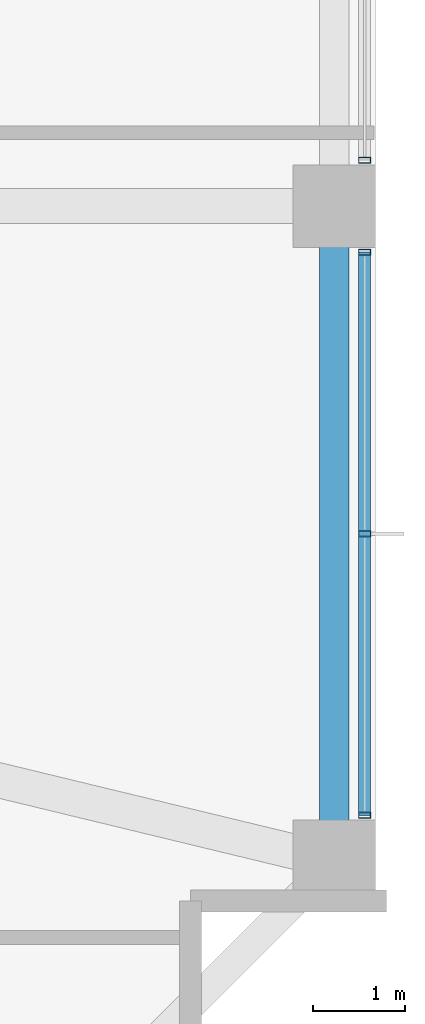
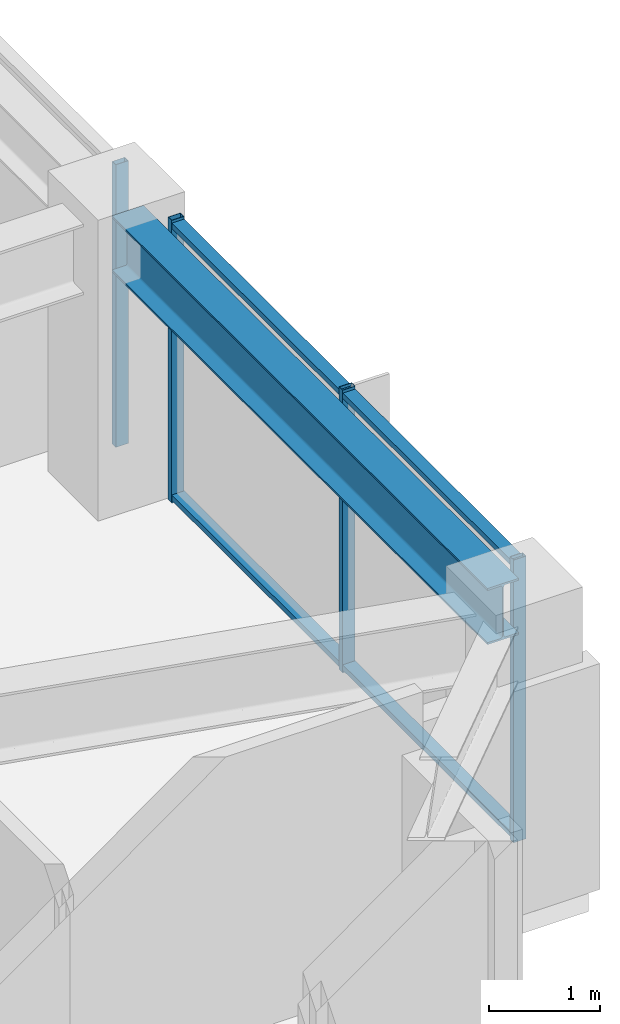
# One storey, part 13 of 31: 6 members, 1 beam, 2 elements without a shape of their own.
"""IFC4 building model written with IfcOpenShell, lengths in metres."""

from ifc_helpers import new_model, si_unit, direction, frame, origin, origin_2d, place, context, subcontext, project, spatial, hollow_rectangle, i_section, extrude, material, material_profile, profile_set, type_object, element, aggregate, save


model = new_model("IFC4")

# Units and contexts
model_context = context("Model", 3, precision=1e-05, world=origin(), true_north=direction((0.0, 1.0)))
body_context = subcontext(model_context, "Body", "Model", "MODEL_VIEW")
ifc_project = project(units=[si_unit("LENGTHUNIT", "METRE"), si_unit("AREAUNIT", "SQUARE_METRE"), si_unit("VOLUMEUNIT", "CUBIC_METRE"), si_unit("PLANEANGLEUNIT", "RADIAN"), si_unit("MASSUNIT", "GRAM", prefix="KILO")], contexts=[model_context])

# Site, building, storey
site_placement = place(None, origin())
site = spatial("IfcSite", under=ifc_project, at=site_placement, CompositionType="ELEMENT")
building_placement = place(site_placement, origin())
building = spatial("IfcBuilding", under=site, at=building_placement, Name="Kolvaren Belvedere", CompositionType="ELEMENT")
storey_placement = place(building_placement, frame((0.0, 0.0, 138.199951171875)))
storey = spatial("IfcBuildingStorey", under=building, at=storey_placement, Name="L40", CompositionType="ELEMENT", Elevation=138.199951171875)

# Beam
ifc_material_1 = material(Name="Structural steel ASTM A992 Grade 50", Category="steel")
ifc_material_profile_1 = material_profile(ifc_material_1, i_section(OverallWidth=0.324951171875, OverallDepth=0.615966796875, WebThickness=0.013916015625, FlangeThickness=0.021484375, FilletRadius=0.02001953125, at=origin_2d()), Name="W24X117")
ifc_profile_set_1 = profile_set([ifc_material_profile_1], Name="Structural steel ASTM A992 Grade 50")
beam_type = type_object("IfcBeamType", Name="BM-SPAN-W24X117", PredefinedType="SPANDREL", material=ifc_profile_set_1)
beam_placement = place(storey_placement, frame((17.550048828125, -11.547607421875, 2.7919921875), z_axis=(0.0, 1.0, 0.0), x_axis=(-1.0, 0.0, 0.0)))
element("IfcBeam", 1, at=beam_placement, inside=storey, type_object=beam_type, Name="L40 Perimeter Spandrel E1-E2", PredefinedType="SPANDREL", context=body_context, shape_type="SweptSolid", body=[
    extrude(i_section(OverallWidth=0.324951171875, OverallDepth=0.615966796875, WebThickness=0.013916015625, FlangeThickness=0.021484375, FilletRadius=0.02001953125, at=origin_2d()), origin(), (0.0, 0.0, 1.0), 6.7451171875),
])

# Curtain wall, member
ifc_material_2 = material(Name="Anodised pale-metal aluminium AA 6063-T6", Category="aluminium")
curtain_wall_type = type_object("IfcCurtainWallType", Name="CW-Z3-WAIST", PredefinedType="NOTDEFINED", material=ifc_material_2)
curtain_wall_1_placement = place(storey_placement, origin())
curtain_wall_1 = element("IfcCurtainWall", 2, at=curtain_wall_1_placement, inside=storey, type_object=curtain_wall_type, Name="L40 Unitised Curtain Wall FCW-L40-E-B2", PredefinedType="NOTDEFINED")
ifc_material_3 = material(Name="Anodised pale-metal aluminium AA 6063-T6", Category="aluminium")
ifc_material_profile_2 = material_profile(ifc_material_3, hollow_rectangle(XDim=0.06494140625, YDim=0.1298828125, WallThickness=0.00390625, at=origin_2d()), Name="ALU-MUL-130X65")
ifc_profile_set_2 = profile_set([ifc_material_profile_2], Name="Anodised pale-metal aluminium AA 6063-T6")
member_type_1 = type_object("IfcMemberType", Name="CW-MUL-130", PredefinedType="MULLION", material=ifc_profile_set_2)
member_1_placement = place(storey_placement, frame((17.8798828125, -4.097412109375, 0.0), z_axis=(0.0, 0.0, 1.0), x_axis=(0.0, 1.0, 0.0)))
member_1 = element("IfcMember", 3, at=member_1_placement, type_object=member_type_1, Name="FCW-L40-E-B2 Unitised Mullion 3", PredefinedType="MULLION", context=body_context, shape_type="SweptSolid", body=[
    extrude(hollow_rectangle(XDim=0.06494140625, YDim=0.1298828125, WallThickness=0.00390625, at=origin_2d()), origin(), (0.0, 0.0, 1.0), 3.10009765625),
])
aggregate(curtain_wall_1, [member_1])

# Curtain wall, members
curtain_wall_2_placement = place(storey_placement, origin())
curtain_wall_2 = element("IfcCurtainWall", 4, at=curtain_wall_2_placement, inside=storey, type_object=curtain_wall_type, Name="L40 Unitised Curtain Wall FCW-L40-E-B3", PredefinedType="NOTDEFINED")
member_2_placement = place(storey_placement, frame((17.8798828125, -5.1025390625, 0.0), z_axis=(0.0, 0.0, 1.0), x_axis=(0.0, 1.0, 0.0)))
member_2 = element("IfcMember", 5, at=member_2_placement, type_object=member_type_1, Name="FCW-L40-E-B3 Unitised Mullion 1", PredefinedType="MULLION", context=body_context, shape_type="SweptSolid", body=[
    extrude(hollow_rectangle(XDim=0.06494140625, YDim=0.1298828125, WallThickness=0.00390625, at=origin_2d()), origin(), (0.0, 0.0, 1.0), 3.10009765625),
])
member_3_placement = place(storey_placement, frame((17.8798828125, -8.175048828125, 0.0), z_axis=(0.0, 0.0, 1.0), x_axis=(0.0, 1.0, 0.0)))
member_3 = element("IfcMember", 6, at=member_3_placement, type_object=member_type_1, Name="FCW-L40-E-B3 Unitised Mullion 2", PredefinedType="MULLION", context=body_context, shape_type="SweptSolid", body=[
    extrude(hollow_rectangle(XDim=0.06494140625, YDim=0.1298828125, WallThickness=0.00390625, at=origin_2d()), origin(), (0.0, 0.0, 1.0), 3.10009765625),
])
member_4_placement = place(storey_placement, frame((17.8798828125, -11.24755859375, 0.0), z_axis=(0.0, 0.0, 1.0), x_axis=(0.0, 1.0, 0.0)))
member_4 = element("IfcMember", 7, at=member_4_placement, type_object=member_type_1, Name="FCW-L40-E-B3 Unitised Mullion 3", PredefinedType="MULLION", context=body_context, shape_type="SweptSolid", body=[
    extrude(hollow_rectangle(XDim=0.06494140625, YDim=0.1298828125, WallThickness=0.00390625, at=origin_2d()), origin(), (0.0, 0.0, 1.0), 3.10009765625),
])
ifc_material_4 = material(Name="Anodised pale-metal aluminium AA 6063-T6", Category="aluminium")
ifc_material_profile_3 = material_profile(ifc_material_4, hollow_rectangle(XDim=0.06005859375, YDim=0.1298828125, WallThickness=0.00390625, at=origin_2d()), Name="ALU-TRN-130X60")
ifc_profile_set_3 = profile_set([ifc_material_profile_3], Name="Anodised pale-metal aluminium AA 6063-T6")
member_type_2 = type_object("IfcMemberType", Name="CW-TRN-130", PredefinedType="USERDEFINED", material=ifc_profile_set_3)
member_5_placement = place(storey_placement, frame((17.8798828125, -5.1025390625, 0.06005859375), z_axis=(0.0, -1.0, 0.0), x_axis=(0.0, 0.0, 1.0)))
member_5 = element("IfcMember", 8, at=member_5_placement, type_object=member_type_2, Name="FCW-L40-E-B3 Sill Transom", ObjectType="TRANSOM", PredefinedType="USERDEFINED", context=body_context, shape_type="SweptSolid", body=[
    extrude(hollow_rectangle(XDim=0.06005859375, YDim=0.1298828125, WallThickness=0.00390625, at=origin_2d()), origin(), (0.0, 0.0, 1.0), 6.14501953125),
])
member_6_placement = place(storey_placement, frame((17.8798828125, -5.1025390625, 3.0400390625), z_axis=(0.0, -1.0, 0.0), x_axis=(0.0, 0.0, 1.0)))
member_6 = element("IfcMember", 9, at=member_6_placement, type_object=member_type_2, Name="FCW-L40-E-B3 Head Transom", ObjectType="TRANSOM", PredefinedType="USERDEFINED", context=body_context, shape_type="SweptSolid", body=[
    extrude(hollow_rectangle(XDim=0.06005859375, YDim=0.1298828125, WallThickness=0.00390625, at=origin_2d()), origin(), (0.0, 0.0, 1.0), 6.14501953125),
])
aggregate(curtain_wall_2, [member_2, member_3, member_4, member_5, member_6])

save(model, "model.ifc")
